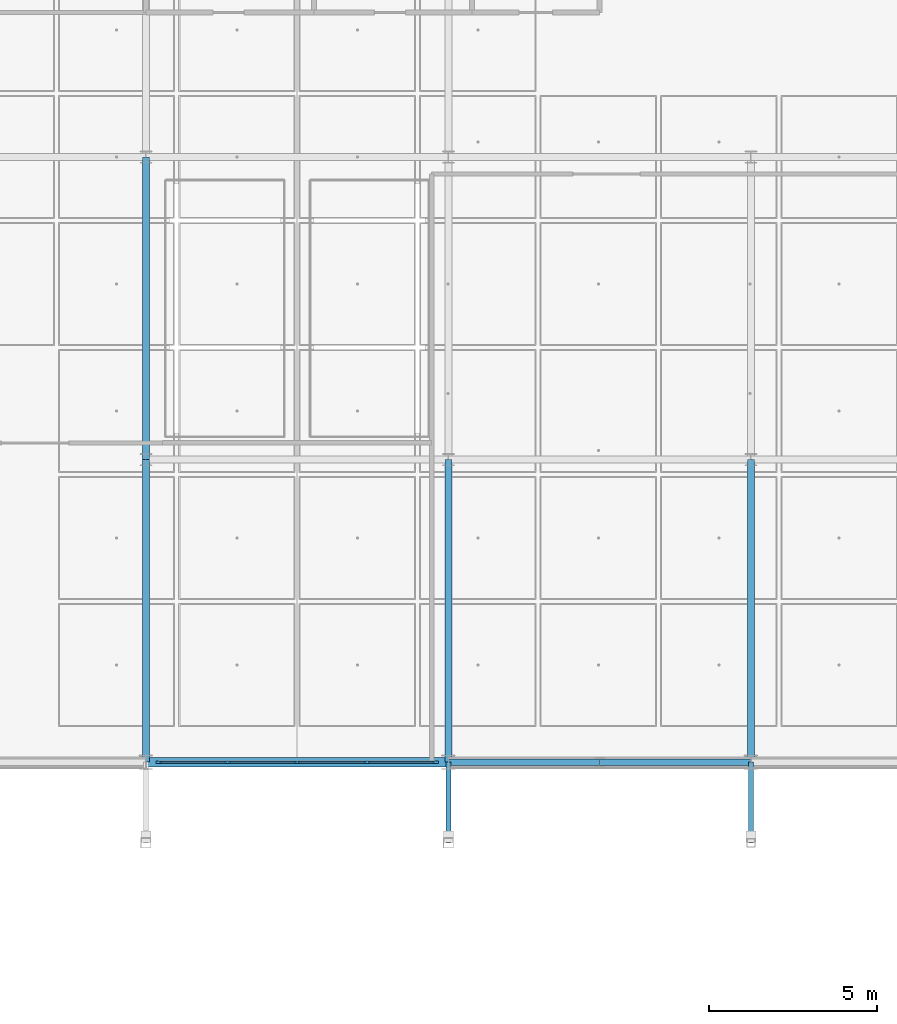
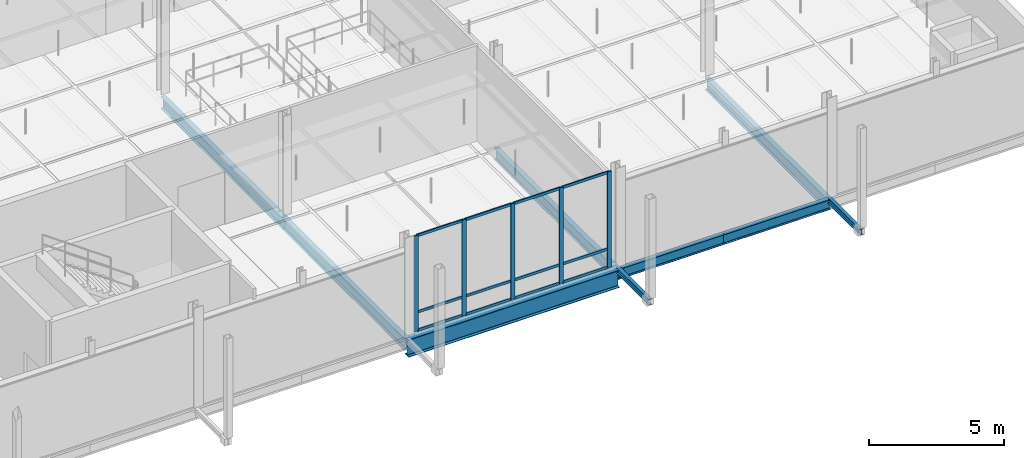
# One storey, part 24 of 130: 17 members, 9 beams, 1 element without a shape of its own.
"""IFC4 building model written with IfcOpenShell, lengths in metres."""

from ifc_helpers import new_model, si_unit, direction, frame, origin, origin_2d, place, context, subcontext, project, spatial, rectangle, i_section, extrude, material, material_profile, profile_set, type_object, element, aggregate, save


model = new_model("IFC4")

# Units and contexts
model_context = context("Model", 3, precision=1e-05, world=origin(), true_north=direction((0.0, 1.0)))
body_context = subcontext(model_context, "Body", "Model", "MODEL_VIEW")
ifc_project = project(units=[si_unit("LENGTHUNIT", "METRE"), si_unit("AREAUNIT", "SQUARE_METRE"), si_unit("VOLUMEUNIT", "CUBIC_METRE"), si_unit("PLANEANGLEUNIT", "RADIAN"), si_unit("MASSUNIT", "GRAM", prefix="KILO"), si_unit("THERMODYNAMICTEMPERATUREUNIT", "KELVIN"), si_unit("POWERUNIT", "WATT")], contexts=[model_context])

# Site, building, storey
site_placement = place(None, origin())
site = spatial("IfcSite", under=ifc_project, at=site_placement, CompositionType="ELEMENT")
building_placement = place(site_placement, origin())
building = spatial("IfcBuilding", under=site, at=building_placement, Name="Tallowbark Science Centre", CompositionType="ELEMENT")
storey_placement = place(building_placement, frame((0.0, 0.0, 5.39990234375)))
storey = spatial("IfcBuildingStorey", under=building, at=storey_placement, Name="L01", CompositionType="ELEMENT", Elevation=5.39990234375)

# Beams
ifc_material_1 = material(Name="White Architectural Painted Steel Grade C350L0 (350 MPa)", Category="steel")
ifc_material_profile_1 = material_profile(ifc_material_1, i_section(OverallWidth=0.146484375, OverallDepth=0.256103515625, WebThickness=0.00634765625, FlangeThickness=0.010986328125, FilletRadius=0.0087890625, at=origin_2d()), Name="250UB37.3")
ifc_profile_set_1 = profile_set([ifc_material_profile_1], Name="White Architectural Painted Steel Grade C350L0 (350 MPa)")
beam_type_1 = type_object("IfcBeamType", Name="BM-OUT250", PredefinedType="BEAM", material=ifc_profile_set_1)
for number, where, z_axis, x_axis, name in (
    (1, (85.5, 4.5, -0.25), (0.0, -1.0, 0.0), (1.0, 0.0, 0.0), "Star Screen Outrigger Tie Beam S-7"),
    (2, (94.5, 4.5, -0.25), (0.0, -1.0, 0.0), (1.0, 0.0, 0.0), "Star Screen Outrigger Tie Beam S-9"),
):
    element("IfcBeam", number, at=place(storey_placement, frame(where, z_axis=z_axis, x_axis=x_axis)), inside=storey, type_object=beam_type_1, Name=name, PredefinedType="BEAM", context=body_context, shape_type="SweptSolid", body=[
        extrude(i_section(OverallWidth=0.146484375, OverallDepth=0.256103515625, WebThickness=0.00634765625, FlangeThickness=0.010986328125, FilletRadius=0.0087890625, at=origin_2d()), origin(), (0.0, 0.0, 1.0), 2.39990234375),
    ])
ifc_material_2 = material(Name="Structural Steel Grade 300PLUS (300 MPa)", Category="steel")
ifc_material_profile_2 = material_profile(ifc_material_2, i_section(OverallWidth=0.208740234375, OverallDepth=0.5283203125, WebThickness=0.009521484375, FlangeThickness=0.01318359375, FilletRadius=0.013916015625, at=origin_2d()), Name="530UB82.0")
ifc_profile_set_2 = profile_set([ifc_material_profile_2], Name="Structural Steel Grade 300PLUS (300 MPa)")
beam_type_2 = type_object("IfcBeamType", Name="BM-UB530B", PredefinedType="BEAM", material=ifc_profile_set_2)
for number, where, z_axis, x_axis, name in (
    (3, (76.5, 4.5, -0.444091796875), (0.0, 1.0, 0.0), (-1.0, 0.0, 0.0), "Primary Girder GRDY-L01-765-45-135"),
    (4, (76.5, 13.5, -0.444091796875), (0.0, 1.0, 0.0), (-1.0, 0.0, 0.0), "Primary Girder GRDY-L01-765-135-225"),
    (5, (85.5, 4.5, -0.444091796875), (0.0, 1.0, 0.0), (-1.0, 0.0, 0.0), "Primary Girder GRDY-L01-855-45-135"),
    (6, (94.5, 4.5, -0.444091796875), (0.0, 1.0, 0.0), (-1.0, 0.0, 0.0), "Primary Girder GRDY-L01-945-45-135"),
):
    element("IfcBeam", number, at=place(storey_placement, frame(where, z_axis=z_axis, x_axis=x_axis)), inside=storey, type_object=beam_type_2, Name=name, PredefinedType="BEAM", context=body_context, shape_type="SweptSolid", body=[
        extrude(i_section(OverallWidth=0.208740234375, OverallDepth=0.5283203125, WebThickness=0.009521484375, FlangeThickness=0.01318359375, FilletRadius=0.013916015625, at=origin_2d()), origin(), (0.0, 0.0, 1.0), 9.0),
    ])

# Curtain wall, members
ifc_material_3 = material(Name="Unitised Thermally Broken Aluminium and Low-E Double Glazing", Category="aluminium")
curtain_wall_type = type_object("IfcCurtainWallType", Name="CW-SYS-FACADE", PredefinedType="NOTDEFINED", material=ifc_material_3)
curtain_wall_placement = place(storey_placement, origin())
curtain_wall = element("IfcCurtainWall", 7, at=curtain_wall_placement, inside=storey, type_object=curtain_wall_type, Name="Unitised Curtain Wall CUB-PORTAL-L01 CW-L01-001", PredefinedType="NOTDEFINED")
ifc_material_4 = material(Name="Anodised Architectural Aluminium Alloy 6063-T6", Category="aluminium")
ifc_material_profile_3 = material_profile(ifc_material_4, rectangle(XDim=0.06494140625, YDim=0.179931640625, at=origin_2d()), Name="ALU65x180")
ifc_profile_set_3 = profile_set([ifc_material_profile_3], Name="Anodised Architectural Aluminium Alloy 6063-T6")
member_type_1 = type_object("IfcMemberType", Name="CWM-MUL-220", PredefinedType="MULLION", material=ifc_profile_set_3)
member_1_placement = place(storey_placement, frame((76.882568359375, 4.5, 0.0), z_axis=(0.0, 0.0, 1.0), x_axis=(0.0, 1.0, 0.0)))
member_1 = element("IfcMember", 8, at=member_1_placement, type_object=member_type_1, Name="CW-01 mullion 1", PredefinedType="MULLION", context=body_context, shape_type="SweptSolid", body=[
    extrude(rectangle(XDim=0.06494140625, YDim=0.179931640625, at=origin_2d()), origin(), (0.0, 0.0, 1.0), 4.320068359375),
])
member_2_placement = place(storey_placement, frame((78.925048828125, 4.5, 0.0), z_axis=(0.0, 0.0, 1.0), x_axis=(0.0, 1.0, 0.0)))
member_2 = element("IfcMember", 9, at=member_2_placement, type_object=member_type_1, Name="CW-01 mullion 2", PredefinedType="MULLION", context=body_context, shape_type="SweptSolid", body=[
    extrude(rectangle(XDim=0.06494140625, YDim=0.179931640625, at=origin_2d()), origin(), (0.0, 0.0, 1.0), 4.320068359375),
])
member_3_placement = place(storey_placement, frame((81.0, 4.5, 0.0), z_axis=(0.0, 0.0, 1.0), x_axis=(0.0, 1.0, 0.0)))
member_3 = element("IfcMember", 10, at=member_3_placement, type_object=member_type_1, Name="CW-01 mullion 3", PredefinedType="MULLION", context=body_context, shape_type="SweptSolid", body=[
    extrude(rectangle(XDim=0.06494140625, YDim=0.179931640625, at=origin_2d()), origin(), (0.0, 0.0, 1.0), 4.320068359375),
])
member_4_placement = place(storey_placement, frame((83.074951171875, 4.5, 0.0), z_axis=(0.0, 0.0, 1.0), x_axis=(0.0, 1.0, 0.0)))
member_4 = element("IfcMember", 11, at=member_4_placement, type_object=member_type_1, Name="CW-01 mullion 4", PredefinedType="MULLION", context=body_context, shape_type="SweptSolid", body=[
    extrude(rectangle(XDim=0.06494140625, YDim=0.179931640625, at=origin_2d()), origin(), (0.0, 0.0, 1.0), 4.320068359375),
])
member_5_placement = place(storey_placement, frame((85.117431640625, 4.5, 0.0), z_axis=(0.0, 0.0, 1.0), x_axis=(0.0, 1.0, 0.0)))
member_5 = element("IfcMember", 12, at=member_5_placement, type_object=member_type_1, Name="CW-01 mullion 5", PredefinedType="MULLION", context=body_context, shape_type="SweptSolid", body=[
    extrude(rectangle(XDim=0.06494140625, YDim=0.179931640625, at=origin_2d()), origin(), (0.0, 0.0, 1.0), 4.320068359375),
])
ifc_material_profile_4 = material_profile(ifc_material_4, rectangle(XDim=0.054931640625, YDim=0.1201171875, at=origin_2d()), Name="ALU55x120")
ifc_profile_set_4 = profile_set([ifc_material_profile_4], Name="Anodised Architectural Aluminium Alloy 6063-T6")
member_type_2 = type_object("IfcMemberType", Name="CWM-TRN-150", PredefinedType="USERDEFINED", material=ifc_profile_set_4)
member_6_placement = place(storey_placement, frame((76.9150390625, 4.5, 0.027587890625), z_axis=(1.0, 0.0, 0.0), x_axis=(0.0, 1.0, 0.0)))
member_6 = element("IfcMember", 13, at=member_6_placement, type_object=member_type_2, Name="CW-01 transom 1.1", ObjectType="TRANSOM", PredefinedType="USERDEFINED", context=body_context, shape_type="SweptSolid", body=[
    extrude(rectangle(XDim=0.054931640625, YDim=0.1201171875, at=origin_2d()), origin(), (0.0, 0.0, 1.0), 1.9775390625),
])
member_7_placement = place(storey_placement, frame((76.9150390625, 4.5, 0.85009765625), z_axis=(1.0, 0.0, 0.0), x_axis=(0.0, 1.0, 0.0)))
member_7 = element("IfcMember", 14, at=member_7_placement, type_object=member_type_2, Name="CW-01 transom 1.2", ObjectType="TRANSOM", PredefinedType="USERDEFINED", context=body_context, shape_type="SweptSolid", body=[
    extrude(rectangle(XDim=0.054931640625, YDim=0.1201171875, at=origin_2d()), origin(), (0.0, 0.0, 1.0), 1.9775390625),
])
member_8_placement = place(storey_placement, frame((76.9150390625, 4.5, 4.29248046875), z_axis=(1.0, 0.0, 0.0), x_axis=(0.0, 1.0, 0.0)))
member_8 = element("IfcMember", 15, at=member_8_placement, type_object=member_type_2, Name="CW-01 transom 1.3", ObjectType="TRANSOM", PredefinedType="USERDEFINED", context=body_context, shape_type="SweptSolid", body=[
    extrude(rectangle(XDim=0.054931640625, YDim=0.1201171875, at=origin_2d()), origin(), (0.0, 0.0, 1.0), 1.9775390625),
])
member_9_placement = place(storey_placement, frame((78.95751953125, 4.5, 0.027587890625), z_axis=(1.0, 0.0, 0.0), x_axis=(0.0, 1.0, 0.0)))
member_9 = element("IfcMember", 16, at=member_9_placement, type_object=member_type_2, Name="CW-01 transom 2.1", ObjectType="TRANSOM", PredefinedType="USERDEFINED", context=body_context, shape_type="SweptSolid", body=[
    extrude(rectangle(XDim=0.054931640625, YDim=0.1201171875, at=origin_2d()), origin(), (0.0, 0.0, 1.0), 2.010009765625),
])
member_10_placement = place(storey_placement, frame((78.95751953125, 4.5, 0.85009765625), z_axis=(1.0, 0.0, 0.0), x_axis=(0.0, 1.0, 0.0)))
member_10 = element("IfcMember", 17, at=member_10_placement, type_object=member_type_2, Name="CW-01 transom 2.2", ObjectType="TRANSOM", PredefinedType="USERDEFINED", context=body_context, shape_type="SweptSolid", body=[
    extrude(rectangle(XDim=0.054931640625, YDim=0.1201171875, at=origin_2d()), origin(), (0.0, 0.0, 1.0), 2.010009765625),
])
member_11_placement = place(storey_placement, frame((78.95751953125, 4.5, 4.29248046875), z_axis=(1.0, 0.0, 0.0), x_axis=(0.0, 1.0, 0.0)))
member_11 = element("IfcMember", 18, at=member_11_placement, type_object=member_type_2, Name="CW-01 transom 2.3", ObjectType="TRANSOM", PredefinedType="USERDEFINED", context=body_context, shape_type="SweptSolid", body=[
    extrude(rectangle(XDim=0.054931640625, YDim=0.1201171875, at=origin_2d()), origin(), (0.0, 0.0, 1.0), 2.010009765625),
])
member_12_placement = place(storey_placement, frame((81.032470703125, 4.5, 0.027587890625), z_axis=(1.0, 0.0, 0.0), x_axis=(0.0, 1.0, 0.0)))
member_12 = element("IfcMember", 19, at=member_12_placement, type_object=member_type_2, Name="CW-01 transom 3.1", ObjectType="TRANSOM", PredefinedType="USERDEFINED", context=body_context, shape_type="SweptSolid", body=[
    extrude(rectangle(XDim=0.054931640625, YDim=0.1201171875, at=origin_2d()), origin(), (0.0, 0.0, 1.0), 2.010009765625),
])
member_13_placement = place(storey_placement, frame((81.032470703125, 4.5, 0.85009765625), z_axis=(1.0, 0.0, 0.0), x_axis=(0.0, 1.0, 0.0)))
member_13 = element("IfcMember", 20, at=member_13_placement, type_object=member_type_2, Name="CW-01 transom 3.2", ObjectType="TRANSOM", PredefinedType="USERDEFINED", context=body_context, shape_type="SweptSolid", body=[
    extrude(rectangle(XDim=0.054931640625, YDim=0.1201171875, at=origin_2d()), origin(), (0.0, 0.0, 1.0), 2.010009765625),
])
member_14_placement = place(storey_placement, frame((81.032470703125, 4.5, 4.29248046875), z_axis=(1.0, 0.0, 0.0), x_axis=(0.0, 1.0, 0.0)))
member_14 = element("IfcMember", 21, at=member_14_placement, type_object=member_type_2, Name="CW-01 transom 3.3", ObjectType="TRANSOM", PredefinedType="USERDEFINED", context=body_context, shape_type="SweptSolid", body=[
    extrude(rectangle(XDim=0.054931640625, YDim=0.1201171875, at=origin_2d()), origin(), (0.0, 0.0, 1.0), 2.010009765625),
])
member_15_placement = place(storey_placement, frame((83.107421875, 4.5, 0.027587890625), z_axis=(1.0, 0.0, 0.0), x_axis=(0.0, 1.0, 0.0)))
member_15 = element("IfcMember", 22, at=member_15_placement, type_object=member_type_2, Name="CW-01 transom 4.1", ObjectType="TRANSOM", PredefinedType="USERDEFINED", context=body_context, shape_type="SweptSolid", body=[
    extrude(rectangle(XDim=0.054931640625, YDim=0.1201171875, at=origin_2d()), origin(), (0.0, 0.0, 1.0), 1.9775390625),
])
member_16_placement = place(storey_placement, frame((83.107421875, 4.5, 0.85009765625), z_axis=(1.0, 0.0, 0.0), x_axis=(0.0, 1.0, 0.0)))
member_16 = element("IfcMember", 23, at=member_16_placement, type_object=member_type_2, Name="CW-01 transom 4.2", ObjectType="TRANSOM", PredefinedType="USERDEFINED", context=body_context, shape_type="SweptSolid", body=[
    extrude(rectangle(XDim=0.054931640625, YDim=0.1201171875, at=origin_2d()), origin(), (0.0, 0.0, 1.0), 1.9775390625),
])
member_17_placement = place(storey_placement, frame((83.107421875, 4.5, 4.29248046875), z_axis=(1.0, 0.0, 0.0), x_axis=(0.0, 1.0, 0.0)))
member_17 = element("IfcMember", 24, at=member_17_placement, type_object=member_type_2, Name="CW-01 transom 4.3", ObjectType="TRANSOM", PredefinedType="USERDEFINED", context=body_context, shape_type="SweptSolid", body=[
    extrude(rectangle(XDim=0.054931640625, YDim=0.1201171875, at=origin_2d()), origin(), (0.0, 0.0, 1.0), 1.9775390625),
])
aggregate(curtain_wall, [member_1, member_2, member_3, member_4, member_5, member_6, member_7, member_8, member_9, member_10, member_11, member_12, member_13, member_14, member_15, member_16, member_17])

# Beams
ifc_material_profile_5 = material_profile(ifc_material_2, i_section(OverallWidth=0.27490234375, OverallDepth=0.7919921875, WebThickness=0.011962890625, FlangeThickness=0.02001953125, FilletRadius=0.013916015625, at=origin_2d()), Name="800WB146")
ifc_profile_set_5 = profile_set([ifc_material_profile_5], Name="Structural Steel Grade 300PLUS (300 MPa)")
beam_type_3 = type_object("IfcBeamType", Name="LNT-WB800", PredefinedType="LINTEL", material=ifc_profile_set_5)
beam_placement = place(storey_placement, frame((76.5, 4.5, -0.575927734375), z_axis=(1.0, 0.0, 0.0), x_axis=(0.0, 1.0, 0.0)))
element("IfcBeam", 25, at=beam_placement, inside=storey, type_object=beam_type_3, Name="Primary Girder GRDX-L01-765-855-45", PredefinedType="LINTEL", context=body_context, shape_type="SweptSolid", body=[
    extrude(i_section(OverallWidth=0.27490234375, OverallDepth=0.7919921875, WebThickness=0.011962890625, FlangeThickness=0.02001953125, FilletRadius=0.013916015625, at=origin_2d()), origin(), (0.0, 0.0, 1.0), 9.0),
])
ifc_material_profile_6 = material_profile(ifc_material_2, i_section(OverallWidth=0.18994140625, OverallDepth=0.453857421875, WebThickness=0.008544921875, FlangeThickness=0.0126953125, FilletRadius=0.011474609375, at=origin_2d()), Name="460UB67.1")
ifc_profile_set_6 = profile_set([ifc_material_profile_6], Name="Structural Steel Grade 300PLUS (300 MPa)")
beam_type_4 = type_object("IfcBeamType", Name="SPN-UB460", PredefinedType="SPANDREL", material=ifc_profile_set_6)
for number, where, z_axis, x_axis, name in (
    (26, (85.5, 4.5, -0.40673828125), (1.0, 0.0, 0.0), (0.0, 1.0, 0.0), "Primary Girder GRDX-L01-855-900-45"),
    (27, (90.0, 4.5, -0.40673828125), (1.0, 0.0, 0.0), (0.0, 1.0, 0.0), "Primary Girder GRDX-L01-900-945-45"),
):
    element("IfcBeam", number, at=place(storey_placement, frame(where, z_axis=z_axis, x_axis=x_axis)), inside=storey, type_object=beam_type_4, Name=name, PredefinedType="SPANDREL", context=body_context, shape_type="SweptSolid", body=[
        extrude(i_section(OverallWidth=0.18994140625, OverallDepth=0.453857421875, WebThickness=0.008544921875, FlangeThickness=0.0126953125, FilletRadius=0.011474609375, at=origin_2d()), origin(), (0.0, 0.0, 1.0), 4.5),
    ])

save(model, "model.ifc")
